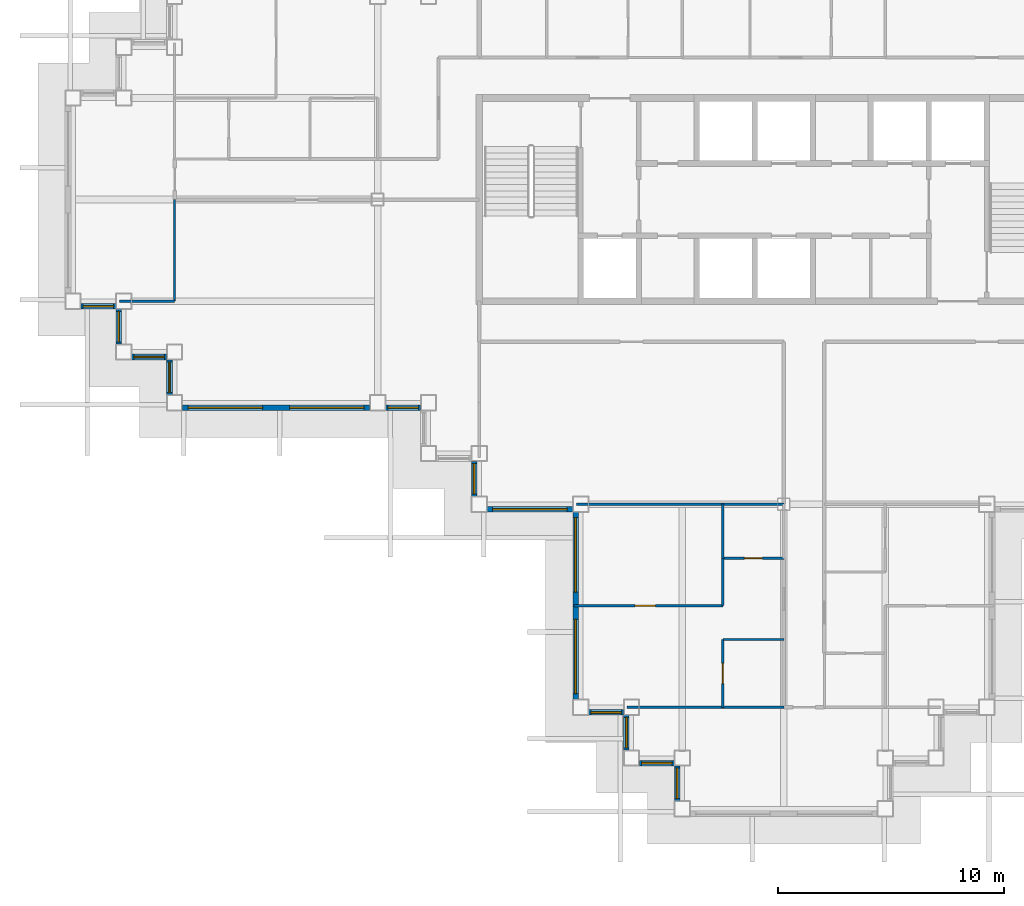
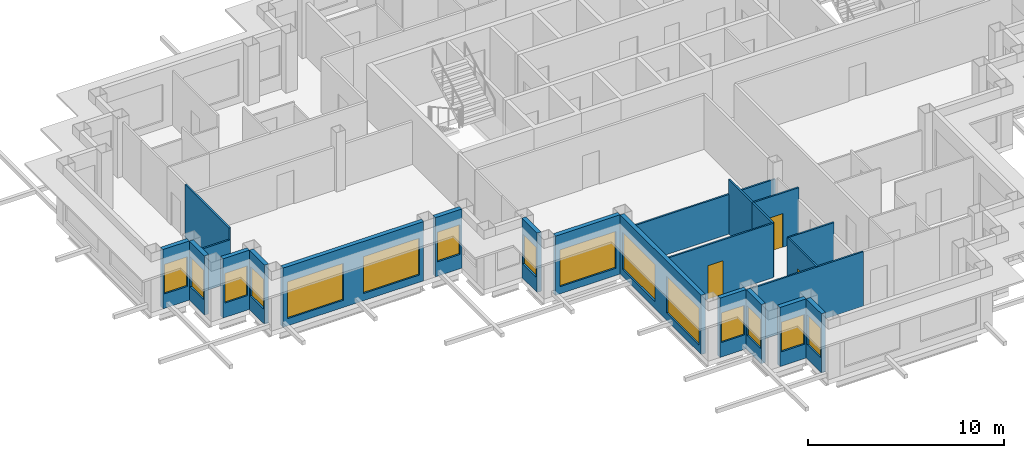
# One storey, part 2 of 12: 24 walls, 15 windows, 3 doors, 18 openings.
"""IFC4 building model written with IfcOpenShell, lengths in metres."""

from ifc_helpers import new_model, si_unit, direction, frame, frame_2d, origin, place, context, subcontext, project, spatial, rectangle, extrude, material, layer, layer_set, type_object, element, fill, save


model = new_model("IFC4")

# Units and contexts
model_context = context("Model", 3, precision=1e-05, world=origin(), true_north=direction((0.0, 1.0)))
body_context = subcontext(model_context, "Body", "Model", "MODEL_VIEW")
ifc_project = project(units=[si_unit("LENGTHUNIT", "METRE"), si_unit("AREAUNIT", "SQUARE_METRE"), si_unit("VOLUMEUNIT", "CUBIC_METRE"), si_unit("PLANEANGLEUNIT", "RADIAN"), si_unit("MASSUNIT", "GRAM", prefix="KILO")], contexts=[model_context])

# Site, building, storey
site_placement = place(None, origin())
site = spatial("IfcSite", under=ifc_project, at=site_placement, CompositionType="ELEMENT")
building_placement = place(site_placement, origin())
building = spatial("IfcBuilding", under=site, at=building_placement, Name="Caravel Reach Hotel and Residences", CompositionType="ELEMENT")
storey_placement = place(building_placement, frame((0.0, 0.0, 203.5)))
storey = spatial("IfcBuildingStorey", under=building, at=storey_placement, Name="L51", CompositionType="ELEMENT", Elevation=203.5)

# Wall, opening, door
ifc_material_1 = material(Name="Gypsum board on steel stud", Category="steel")
ifc_layer_1 = layer(ifc_material_1, 0.10009765625)
ifc_layer_set_1 = layer_set([ifc_layer_1], Name="Bathroom pod wall 100 mm")
wall_type_1 = type_object("IfcWallType", Name="Bathroom pod wall 100 mm", PredefinedType="PARTITIONING", material=ifc_layer_set_1)
wall_1_placement = place(storey_placement, frame((28.800048828125, 11.10009765625, 0.0), z_axis=(0.0, 0.0, 1.0), x_axis=(1.0, 0.0, 0.0)))
wall_1 = element("IfcWall", 1, at=wall_1_placement, inside=storey, type_object=wall_type_1, Name="L51 wall w064", PredefinedType="PARTITIONING", context=body_context, shape_type="SweptSolid", body=[
    extrude(rectangle(XDim=2.699951171875, YDim=0.10009765625, at=frame_2d((1.35009765625, 0.0))), origin(), (0.0, 0.0, 1.0), 3.39990234375),
])
opening_1_placement = place(wall_1_placement, frame((0.949951171875, 0.0, 0.0)))
opening_1 = element("IfcOpeningElement", 2, at=opening_1_placement, cuts=wall_1, Name="Opening D51-035", PredefinedType="OPENING", context=body_context, shape_type="SweptSolid", body=[
    extrude(rectangle(XDim=0.800048828125, YDim=2.10009765625, at=frame_2d((0.39990234375, 1.050048828125))), frame((0.0, 0.06005859375, 0.0), z_axis=(0.0, -1.0, 0.0), x_axis=(1.0, 0.0, 0.0)), (0.0, 0.0, 1.0), 0.1201171875),
])
ifc_material_2 = material(Name="Timber and steel door leaf", Category="steel")
door_type_1 = type_object("IfcDoorType", Name="Bathroom door 800 x 2100", OperationType="SINGLE_SWING_LEFT", PredefinedType="DOOR", material=ifc_material_2)
door_1_placement = place(opening_1_placement, origin())
door_1 = element("IfcDoor", 3, at=door_1_placement, inside=storey, type_object=door_type_1, Name="door D51-035", OperationType="SINGLE_SWING_LEFT", OverallHeight=2.10009765625, OverallWidth=0.800048828125, PredefinedType="DOOR", context=body_context, shape_type="SweptSolid", body=[
    extrude(rectangle(XDim=0.800048828125, YDim=2.10009765625, at=frame_2d((0.39990234375, 1.050048828125))), frame((0.0, 0.02490234375, 0.0), z_axis=(0.0, -1.0, 0.0), x_axis=(1.0, 0.0, 0.0)), (0.0, 0.0, 1.0), 0.050048828125),
])
fill(opening_1, door_1)

# Walls
wall_2_placement = place(storey_placement, frame((28.800048828125, 13.5, 0.0), z_axis=(0.0, 0.0, 1.0), x_axis=(1.0, 0.0, 0.0)))
element("IfcWall", 4, at=wall_2_placement, inside=storey, type_object=wall_type_1, Name="L51 wall w065", PredefinedType="PARTITIONING", context=body_context, shape_type="SweptSolid", body=[
    extrude(rectangle(XDim=2.699951171875, YDim=0.10009765625, at=frame_2d((1.35009765625, 0.0))), origin(), (0.0, 0.0, 1.0), 2.47998046875),
])
wall_3_placement = place(storey_placement, frame((28.800048828125, 11.10009765625, 0.0), z_axis=(0.0, 0.0, 1.0), x_axis=(0.0, 1.0, 0.0)))
element("IfcWall", 5, at=wall_3_placement, inside=storey, type_object=wall_type_1, Name="L51 wall w076", PredefinedType="PARTITIONING", context=body_context, shape_type="SweptSolid", body=[
    extrude(rectangle(XDim=2.39990234375, YDim=0.10009765625, at=frame_2d((1.199951171875, 0.0))), origin(), (0.0, 0.0, 1.0), 3.39990234375),
])

# Wall, opening, window
ifc_material_3 = material(Name="Insulated rainscreen wall, aluminium cladding", Category="aluminium")
ifc_layer_2 = layer(ifc_material_3, 0.25)
ifc_layer_set_2 = layer_set([ifc_layer_2], Name="EW1 Tower rainscreen wall")
wall_type_2 = type_object("IfcWallType", Name="EW1 Tower rainscreen wall", PredefinedType="SOLIDWALL", material=ifc_layer_set_2)
wall_4_placement = place(storey_placement, frame((0.35009765625, 22.27490234375, 0.0), z_axis=(0.0, 0.0, 1.0), x_axis=(1.0, 0.0, 0.0)))
wall_4 = element("IfcWall", 6, at=wall_4_placement, inside=storey, type_object=wall_type_2, Name="External wall L51 S21.1", PredefinedType="SOLIDWALL", context=body_context, shape_type="SweptSolid", body=[
    extrude(rectangle(XDim=1.5498046875, YDim=0.25, at=frame_2d((0.77490234375, 0.0))), origin(), (0.0, 0.0, 1.0), 3.699951171875),
])
opening_2_placement = place(wall_4_placement, frame((0.10009765625, 0.0, 0.89990234375)))
opening_2 = element("IfcOpeningElement", 7, at=opening_2_placement, cuts=wall_4, Name="Opening WN21", PredefinedType="OPENING", context=body_context, shape_type="SweptSolid", body=[
    extrude(rectangle(XDim=1.35009765625, YDim=1.85009765625, at=frame_2d((0.675048828125, 0.925048828125))), frame((0.0, 0.135009765625, 0.0), z_axis=(0.0, -1.0, 0.0), x_axis=(1.0, 0.0, 0.0)), (0.0, 0.0, 1.0), 0.27001953125),
])
ifc_material_4 = material(Name="Dark low-e glazing in black aluminium frame", Category="aluminium")
window_type_1 = type_object("IfcWindowType", Name="Residence bedroom window 1350 x 1850", PartitioningType="SINGLE_PANEL", PredefinedType="WINDOW", material=ifc_material_4)
window_1_placement = place(opening_2_placement, origin())
window_1 = element("IfcWindow", 8, at=window_1_placement, inside=storey, type_object=window_type_1, Name="Window L51 S21.1.1", OverallHeight=1.85009765625, OverallWidth=1.35009765625, PartitioningType="SINGLE_PANEL", PredefinedType="WINDOW", context=body_context, shape_type="SweptSolid", body=[
    extrude(rectangle(XDim=1.35009765625, YDim=1.85009765625, at=frame_2d((0.675048828125, 0.925048828125))), frame((0.0, 0.030029296875, 0.0), z_axis=(0.0, -1.0, 0.0), x_axis=(1.0, 0.0, 0.0)), (0.0, 0.0, 1.0), 0.06005859375),
])
fill(opening_2, window_1)

wall_5_placement = place(storey_placement, frame((2.02490234375, 22.14990234375, 0.0), z_axis=(0.0, 0.0, 1.0), x_axis=(0.0, -1.0, 0.0)))
wall_5 = element("IfcWall", 9, at=wall_5_placement, inside=storey, type_object=wall_type_2, Name="External wall L51 W22.1", PredefinedType="SOLIDWALL", context=body_context, shape_type="SweptSolid", body=[
    extrude(rectangle(XDim=1.5498046875, YDim=0.25, at=frame_2d((0.77490234375, 0.0))), origin(), (0.0, 0.0, 1.0), 3.699951171875),
])
opening_3_placement = place(wall_5_placement, frame((0.10009765625, 0.0, 0.89990234375)))
opening_3 = element("IfcOpeningElement", 10, at=opening_3_placement, cuts=wall_5, Name="Opening WN21", PredefinedType="OPENING", context=body_context, shape_type="SweptSolid", body=[
    extrude(rectangle(XDim=1.35009765625, YDim=1.85009765625, at=frame_2d((0.675048828125, 0.925048828125))), frame((0.0, 0.135009765625, 0.0), z_axis=(0.0, -1.0, 0.0), x_axis=(1.0, 0.0, 0.0)), (0.0, 0.0, 1.0), 0.27001953125),
])
window_2_placement = place(opening_3_placement, origin())
window_2 = element("IfcWindow", 11, at=window_2_placement, inside=storey, type_object=window_type_1, Name="Window L51 W22.1.1", OverallHeight=1.85009765625, OverallWidth=1.35009765625, PartitioningType="SINGLE_PANEL", PredefinedType="WINDOW", context=body_context, shape_type="SweptSolid", body=[
    extrude(rectangle(XDim=1.35009765625, YDim=1.85009765625, at=frame_2d((0.675048828125, 0.925048828125))), frame((0.0, 0.030029296875, 0.0), z_axis=(0.0, -1.0, 0.0), x_axis=(1.0, 0.0, 0.0)), (0.0, 0.0, 1.0), 0.06005859375),
])
fill(opening_3, window_2)

wall_6_placement = place(storey_placement, frame((2.60009765625, 20.02490234375, 0.0), z_axis=(0.0, 0.0, 1.0), x_axis=(1.0, 0.0, 0.0)))
wall_6 = element("IfcWall", 12, at=wall_6_placement, inside=storey, type_object=wall_type_2, Name="External wall L51 S23.1", PredefinedType="SOLIDWALL", context=body_context, shape_type="SweptSolid", body=[
    extrude(rectangle(XDim=1.5498046875, YDim=0.25, at=frame_2d((0.77490234375, 0.0))), origin(), (0.0, 0.0, 1.0), 3.699951171875),
])
opening_4_placement = place(wall_6_placement, frame((0.10009765625, 0.0, 0.89990234375)))
opening_4 = element("IfcOpeningElement", 13, at=opening_4_placement, cuts=wall_6, Name="Opening WN21", PredefinedType="OPENING", context=body_context, shape_type="SweptSolid", body=[
    extrude(rectangle(XDim=1.35009765625, YDim=1.85009765625, at=frame_2d((0.675048828125, 0.925048828125))), frame((0.0, 0.135009765625, 0.0), z_axis=(0.0, -1.0, 0.0), x_axis=(1.0, 0.0, 0.0)), (0.0, 0.0, 1.0), 0.27001953125),
])
window_3_placement = place(opening_4_placement, origin())
window_3 = element("IfcWindow", 14, at=window_3_placement, inside=storey, type_object=window_type_1, Name="Window L51 S23.1.1", OverallHeight=1.85009765625, OverallWidth=1.35009765625, PartitioningType="SINGLE_PANEL", PredefinedType="WINDOW", context=body_context, shape_type="SweptSolid", body=[
    extrude(rectangle(XDim=1.35009765625, YDim=1.85009765625, at=frame_2d((0.675048828125, 0.925048828125))), frame((0.0, 0.030029296875, 0.0), z_axis=(0.0, -1.0, 0.0), x_axis=(1.0, 0.0, 0.0)), (0.0, 0.0, 1.0), 0.06005859375),
])
fill(opening_4, window_3)

wall_7_placement = place(storey_placement, frame((4.27490234375, 19.89990234375, 0.0), z_axis=(0.0, 0.0, 1.0), x_axis=(0.0, -1.0, 0.0)))
wall_7 = element("IfcWall", 15, at=wall_7_placement, inside=storey, type_object=wall_type_2, Name="External wall L51 W24.1", PredefinedType="SOLIDWALL", context=body_context, shape_type="SweptSolid", body=[
    extrude(rectangle(XDim=1.5498046875, YDim=0.25, at=frame_2d((0.77490234375, 0.0))), origin(), (0.0, 0.0, 1.0), 3.699951171875),
])
opening_5_placement = place(wall_7_placement, frame((0.10009765625, 0.0, 0.89990234375)))
opening_5 = element("IfcOpeningElement", 16, at=opening_5_placement, cuts=wall_7, Name="Opening WN21", PredefinedType="OPENING", context=body_context, shape_type="SweptSolid", body=[
    extrude(rectangle(XDim=1.35009765625, YDim=1.85009765625, at=frame_2d((0.675048828125, 0.925048828125))), frame((0.0, 0.135009765625, 0.0), z_axis=(0.0, -1.0, 0.0), x_axis=(1.0, 0.0, 0.0)), (0.0, 0.0, 1.0), 0.27001953125),
])
window_4_placement = place(opening_5_placement, origin())
window_4 = element("IfcWindow", 17, at=window_4_placement, inside=storey, type_object=window_type_1, Name="Window L51 W24.1.1", OverallHeight=1.85009765625, OverallWidth=1.35009765625, PartitioningType="SINGLE_PANEL", PredefinedType="WINDOW", context=body_context, shape_type="SweptSolid", body=[
    extrude(rectangle(XDim=1.35009765625, YDim=1.85009765625, at=frame_2d((0.675048828125, 0.925048828125))), frame((0.0, 0.030029296875, 0.0), z_axis=(0.0, -1.0, 0.0), x_axis=(1.0, 0.0, 0.0)), (0.0, 0.0, 1.0), 0.06005859375),
])
fill(opening_5, window_4)

# Wall, openings, windows
wall_8_placement = place(storey_placement, frame((4.85009765625, 17.77490234375, 0.0), z_axis=(0.0, 0.0, 1.0), x_axis=(1.0, 0.0, 0.0)))
wall_8 = element("IfcWall", 18, at=wall_8_placement, inside=storey, type_object=wall_type_2, Name="External wall L51 S25.1", PredefinedType="SOLIDWALL", context=body_context, shape_type="SweptSolid", body=[
    extrude(rectangle(XDim=8.2998046875, YDim=0.25, at=frame_2d((4.14990234375, 0.0))), origin(), (0.0, 0.0, 1.0), 3.699951171875),
])
opening_6_placement = place(wall_8_placement, frame((0.25, 0.0, 0.449951171875)))
opening_6 = element("IfcOpeningElement", 19, at=opening_6_placement, cuts=wall_8, Name="Opening WN15", PredefinedType="OPENING", context=body_context, shape_type="SweptSolid", body=[
    extrude(rectangle(XDim=3.300048828125, YDim=2.300048828125, at=frame_2d((1.64990234375, 1.14990234375))), frame((0.0, 0.135009765625, 0.0), z_axis=(0.0, -1.0, 0.0), x_axis=(1.0, 0.0, 0.0)), (0.0, 0.0, 1.0), 0.27001953125),
])
opening_7_placement = place(wall_8_placement, frame((4.75, 0.0, 0.449951171875)))
opening_7 = element("IfcOpeningElement", 20, at=opening_7_placement, cuts=wall_8, Name="Opening WN15", PredefinedType="OPENING", context=body_context, shape_type="SweptSolid", body=[
    extrude(rectangle(XDim=3.300048828125, YDim=2.300048828125, at=frame_2d((1.64990234375, 1.14990234375))), frame((0.0, 0.135009765625, 0.0), z_axis=(0.0, -1.0, 0.0), x_axis=(1.0, 0.0, 0.0)), (0.0, 0.0, 1.0), 0.27001953125),
])
ifc_material_5 = material(Name="Dark low-e glazing in black aluminium frame", Category="aluminium")
window_type_2 = type_object("IfcWindowType", Name="Residence living window 3300 x 2300", PartitioningType="SINGLE_PANEL", PredefinedType="WINDOW", material=ifc_material_5)
window_5_placement = place(opening_6_placement, origin())
window_5 = element("IfcWindow", 21, at=window_5_placement, inside=storey, type_object=window_type_2, Name="Window L51 S25.1.1", OverallHeight=2.300048828125, OverallWidth=3.300048828125, PartitioningType="SINGLE_PANEL", PredefinedType="WINDOW", context=body_context, shape_type="SweptSolid", body=[
    extrude(rectangle(XDim=3.300048828125, YDim=2.300048828125, at=frame_2d((1.64990234375, 1.14990234375))), frame((0.0, 0.030029296875, 0.0), z_axis=(0.0, -1.0, 0.0), x_axis=(1.0, 0.0, 0.0)), (0.0, 0.0, 1.0), 0.06005859375),
])
fill(opening_6, window_5)
window_6_placement = place(opening_7_placement, origin())
window_6 = element("IfcWindow", 22, at=window_6_placement, inside=storey, type_object=window_type_2, Name="Window L51 S25.1.2", OverallHeight=2.300048828125, OverallWidth=3.300048828125, PartitioningType="SINGLE_PANEL", PredefinedType="WINDOW", context=body_context, shape_type="SweptSolid", body=[
    extrude(rectangle(XDim=3.300048828125, YDim=2.300048828125, at=frame_2d((1.64990234375, 1.14990234375))), frame((0.0, 0.030029296875, 0.0), z_axis=(0.0, -1.0, 0.0), x_axis=(1.0, 0.0, 0.0)), (0.0, 0.0, 1.0), 0.06005859375),
])
fill(opening_7, window_6)

# Wall, opening, window
wall_9_placement = place(storey_placement, frame((13.85009765625, 17.77490234375, 0.0), z_axis=(0.0, 0.0, 1.0), x_axis=(1.0, 0.0, 0.0)))
wall_9 = element("IfcWall", 23, at=wall_9_placement, inside=storey, type_object=wall_type_2, Name="External wall L51 S25.2", PredefinedType="SOLIDWALL", context=body_context, shape_type="SweptSolid", body=[
    extrude(rectangle(XDim=1.5498046875, YDim=0.25, at=frame_2d((0.77490234375, 0.0))), origin(), (0.0, 0.0, 1.0), 3.699951171875),
])
opening_8_placement = place(wall_9_placement, frame((0.10009765625, 0.0, 0.89990234375)))
opening_8 = element("IfcOpeningElement", 24, at=opening_8_placement, cuts=wall_9, Name="Opening WN21", PredefinedType="OPENING", context=body_context, shape_type="SweptSolid", body=[
    extrude(rectangle(XDim=1.35009765625, YDim=1.85009765625, at=frame_2d((0.675048828125, 0.925048828125))), frame((0.0, 0.135009765625, 0.0), z_axis=(0.0, -1.0, 0.0), x_axis=(1.0, 0.0, 0.0)), (0.0, 0.0, 1.0), 0.27001953125),
])
window_7_placement = place(opening_8_placement, origin())
window_7 = element("IfcWindow", 25, at=window_7_placement, inside=storey, type_object=window_type_1, Name="Window L51 S25.2.1", OverallHeight=1.85009765625, OverallWidth=1.35009765625, PartitioningType="SINGLE_PANEL", PredefinedType="WINDOW", context=body_context, shape_type="SweptSolid", body=[
    extrude(rectangle(XDim=1.35009765625, YDim=1.85009765625, at=frame_2d((0.675048828125, 0.925048828125))), frame((0.0, 0.030029296875, 0.0), z_axis=(0.0, -1.0, 0.0), x_axis=(1.0, 0.0, 0.0)), (0.0, 0.0, 1.0), 0.06005859375),
])
fill(opening_8, window_7)

wall_10_placement = place(storey_placement, frame((17.77490234375, 15.39990234375, 0.0), z_axis=(0.0, 0.0, 1.0), x_axis=(0.0, -1.0, 0.0)))
wall_10 = element("IfcWall", 26, at=wall_10_placement, inside=storey, type_object=wall_type_2, Name="External wall L51 W28.1", PredefinedType="SOLIDWALL", context=body_context, shape_type="SweptSolid", body=[
    extrude(rectangle(XDim=1.5498046875, YDim=0.25, at=frame_2d((0.77490234375, 0.0))), origin(), (0.0, 0.0, 1.0), 3.699951171875),
])
opening_9_placement = place(wall_10_placement, frame((0.10009765625, 0.0, 0.89990234375)))
opening_9 = element("IfcOpeningElement", 27, at=opening_9_placement, cuts=wall_10, Name="Opening WN21", PredefinedType="OPENING", context=body_context, shape_type="SweptSolid", body=[
    extrude(rectangle(XDim=1.35009765625, YDim=1.85009765625, at=frame_2d((0.675048828125, 0.925048828125))), frame((0.0, 0.135009765625, 0.0), z_axis=(0.0, -1.0, 0.0), x_axis=(1.0, 0.0, 0.0)), (0.0, 0.0, 1.0), 0.27001953125),
])
window_8_placement = place(opening_9_placement, origin())
window_8 = element("IfcWindow", 28, at=window_8_placement, inside=storey, type_object=window_type_1, Name="Window L51 W28.1.1", OverallHeight=1.85009765625, OverallWidth=1.35009765625, PartitioningType="SINGLE_PANEL", PredefinedType="WINDOW", context=body_context, shape_type="SweptSolid", body=[
    extrude(rectangle(XDim=1.35009765625, YDim=1.85009765625, at=frame_2d((0.675048828125, 0.925048828125))), frame((0.0, 0.030029296875, 0.0), z_axis=(0.0, -1.0, 0.0), x_axis=(1.0, 0.0, 0.0)), (0.0, 0.0, 1.0), 0.06005859375),
])
fill(opening_9, window_8)

wall_11_placement = place(storey_placement, frame((18.35009765625, 13.27490234375, 0.0), z_axis=(0.0, 0.0, 1.0), x_axis=(1.0, 0.0, 0.0)))
wall_11 = element("IfcWall", 29, at=wall_11_placement, inside=storey, type_object=wall_type_2, Name="External wall L51 S29.1", PredefinedType="SOLIDWALL", context=body_context, shape_type="SweptSolid", body=[
    extrude(rectangle(XDim=3.7998046875, YDim=0.25, at=frame_2d((1.89990234375, 0.0))), origin(), (0.0, 0.0, 1.0), 3.699951171875),
])
opening_10_placement = place(wall_11_placement, frame((0.25, 0.0, 0.449951171875)))
opening_10 = element("IfcOpeningElement", 30, at=opening_10_placement, cuts=wall_11, Name="Opening WN15", PredefinedType="OPENING", context=body_context, shape_type="SweptSolid", body=[
    extrude(rectangle(XDim=3.300048828125, YDim=2.300048828125, at=frame_2d((1.64990234375, 1.14990234375))), frame((0.0, 0.135009765625, 0.0), z_axis=(0.0, -1.0, 0.0), x_axis=(1.0, 0.0, 0.0)), (0.0, 0.0, 1.0), 0.27001953125),
])
window_9_placement = place(opening_10_placement, origin())
window_9 = element("IfcWindow", 31, at=window_9_placement, inside=storey, type_object=window_type_2, Name="Window L51 S29.1.1", OverallHeight=2.300048828125, OverallWidth=3.300048828125, PartitioningType="SINGLE_PANEL", PredefinedType="WINDOW", context=body_context, shape_type="SweptSolid", body=[
    extrude(rectangle(XDim=3.300048828125, YDim=2.300048828125, at=frame_2d((1.64990234375, 1.14990234375))), frame((0.0, 0.030029296875, 0.0), z_axis=(0.0, -1.0, 0.0), x_axis=(1.0, 0.0, 0.0)), (0.0, 0.0, 1.0), 0.06005859375),
])
fill(opening_10, window_9)

# Wall, openings, windows
wall_12_placement = place(storey_placement, frame((22.27490234375, 13.14990234375, 0.0), z_axis=(0.0, 0.0, 1.0), x_axis=(0.0, -1.0, 0.0)))
wall_12 = element("IfcWall", 32, at=wall_12_placement, inside=storey, type_object=wall_type_2, Name="External wall L51 W30.1", PredefinedType="SOLIDWALL", context=body_context, shape_type="SweptSolid", body=[
    extrude(rectangle(XDim=8.2998046875, YDim=0.25, at=frame_2d((4.14990234375, 0.0))), origin(), (0.0, 0.0, 1.0), 3.699951171875),
])
opening_11_placement = place(wall_12_placement, frame((0.25, 0.0, 0.449951171875)))
opening_11 = element("IfcOpeningElement", 33, at=opening_11_placement, cuts=wall_12, Name="Opening WN15", PredefinedType="OPENING", context=body_context, shape_type="SweptSolid", body=[
    extrude(rectangle(XDim=3.300048828125, YDim=2.300048828125, at=frame_2d((1.64990234375, 1.14990234375))), frame((0.0, 0.135009765625, 0.0), z_axis=(0.0, -1.0, 0.0), x_axis=(1.0, 0.0, 0.0)), (0.0, 0.0, 1.0), 0.27001953125),
])
opening_12_placement = place(wall_12_placement, frame((4.75, 0.0, 0.449951171875)))
opening_12 = element("IfcOpeningElement", 34, at=opening_12_placement, cuts=wall_12, Name="Opening WN15", PredefinedType="OPENING", context=body_context, shape_type="SweptSolid", body=[
    extrude(rectangle(XDim=3.300048828125, YDim=2.300048828125, at=frame_2d((1.64990234375, 1.14990234375))), frame((0.0, 0.135009765625, 0.0), z_axis=(0.0, -1.0, 0.0), x_axis=(1.0, 0.0, 0.0)), (0.0, 0.0, 1.0), 0.27001953125),
])
window_10_placement = place(opening_11_placement, origin())
window_10 = element("IfcWindow", 35, at=window_10_placement, inside=storey, type_object=window_type_2, Name="Window L51 W30.1.1", OverallHeight=2.300048828125, OverallWidth=3.300048828125, PartitioningType="SINGLE_PANEL", PredefinedType="WINDOW", context=body_context, shape_type="SweptSolid", body=[
    extrude(rectangle(XDim=3.300048828125, YDim=2.300048828125, at=frame_2d((1.64990234375, 1.14990234375))), frame((0.0, 0.030029296875, 0.0), z_axis=(0.0, -1.0, 0.0), x_axis=(1.0, 0.0, 0.0)), (0.0, 0.0, 1.0), 0.06005859375),
])
fill(opening_11, window_10)
window_11_placement = place(opening_12_placement, origin())
window_11 = element("IfcWindow", 36, at=window_11_placement, inside=storey, type_object=window_type_2, Name="Window L51 W30.1.2", OverallHeight=2.300048828125, OverallWidth=3.300048828125, PartitioningType="SINGLE_PANEL", PredefinedType="WINDOW", context=body_context, shape_type="SweptSolid", body=[
    extrude(rectangle(XDim=3.300048828125, YDim=2.300048828125, at=frame_2d((1.64990234375, 1.14990234375))), frame((0.0, 0.030029296875, 0.0), z_axis=(0.0, -1.0, 0.0), x_axis=(1.0, 0.0, 0.0)), (0.0, 0.0, 1.0), 0.06005859375),
])
fill(opening_12, window_11)

# Wall, opening, window
wall_13_placement = place(storey_placement, frame((22.85009765625, 4.27490234375, 0.0), z_axis=(0.0, 0.0, 1.0), x_axis=(1.0, 0.0, 0.0)))
wall_13 = element("IfcWall", 37, at=wall_13_placement, inside=storey, type_object=wall_type_2, Name="External wall L51 S31.1", PredefinedType="SOLIDWALL", context=body_context, shape_type="SweptSolid", body=[
    extrude(rectangle(XDim=1.5498046875, YDim=0.25, at=frame_2d((0.77490234375, 0.0))), origin(), (0.0, 0.0, 1.0), 3.699951171875),
])
opening_13_placement = place(wall_13_placement, frame((0.10009765625, 0.0, 0.89990234375)))
opening_13 = element("IfcOpeningElement", 38, at=opening_13_placement, cuts=wall_13, Name="Opening WN21", PredefinedType="OPENING", context=body_context, shape_type="SweptSolid", body=[
    extrude(rectangle(XDim=1.35009765625, YDim=1.85009765625, at=frame_2d((0.675048828125, 0.925048828125))), frame((0.0, 0.135009765625, 0.0), z_axis=(0.0, -1.0, 0.0), x_axis=(1.0, 0.0, 0.0)), (0.0, 0.0, 1.0), 0.27001953125),
])
window_12_placement = place(opening_13_placement, origin())
window_12 = element("IfcWindow", 39, at=window_12_placement, inside=storey, type_object=window_type_1, Name="Window L51 S31.1.1", OverallHeight=1.85009765625, OverallWidth=1.35009765625, PartitioningType="SINGLE_PANEL", PredefinedType="WINDOW", context=body_context, shape_type="SweptSolid", body=[
    extrude(rectangle(XDim=1.35009765625, YDim=1.85009765625, at=frame_2d((0.675048828125, 0.925048828125))), frame((0.0, 0.030029296875, 0.0), z_axis=(0.0, -1.0, 0.0), x_axis=(1.0, 0.0, 0.0)), (0.0, 0.0, 1.0), 0.06005859375),
])
fill(opening_13, window_12)

wall_14_placement = place(storey_placement, frame((24.52490234375, 4.14990234375, 0.0), z_axis=(0.0, 0.0, 1.0), x_axis=(0.0, -1.0, 0.0)))
wall_14 = element("IfcWall", 40, at=wall_14_placement, inside=storey, type_object=wall_type_2, Name="External wall L51 W32.1", PredefinedType="SOLIDWALL", context=body_context, shape_type="SweptSolid", body=[
    extrude(rectangle(XDim=1.5498046875, YDim=0.25, at=frame_2d((0.77490234375, 0.0))), origin(), (0.0, 0.0, 1.0), 3.699951171875),
])
opening_14_placement = place(wall_14_placement, frame((0.10009765625, 0.0, 0.89990234375)))
opening_14 = element("IfcOpeningElement", 41, at=opening_14_placement, cuts=wall_14, Name="Opening WN21", PredefinedType="OPENING", context=body_context, shape_type="SweptSolid", body=[
    extrude(rectangle(XDim=1.35009765625, YDim=1.85009765625, at=frame_2d((0.675048828125, 0.925048828125))), frame((0.0, 0.135009765625, 0.0), z_axis=(0.0, -1.0, 0.0), x_axis=(1.0, 0.0, 0.0)), (0.0, 0.0, 1.0), 0.27001953125),
])
window_13_placement = place(opening_14_placement, origin())
window_13 = element("IfcWindow", 42, at=window_13_placement, inside=storey, type_object=window_type_1, Name="Window L51 W32.1.1", OverallHeight=1.85009765625, OverallWidth=1.35009765625, PartitioningType="SINGLE_PANEL", PredefinedType="WINDOW", context=body_context, shape_type="SweptSolid", body=[
    extrude(rectangle(XDim=1.35009765625, YDim=1.85009765625, at=frame_2d((0.675048828125, 0.925048828125))), frame((0.0, 0.030029296875, 0.0), z_axis=(0.0, -1.0, 0.0), x_axis=(1.0, 0.0, 0.0)), (0.0, 0.0, 1.0), 0.06005859375),
])
fill(opening_14, window_13)

wall_15_placement = place(storey_placement, frame((25.10009765625, 2.02490234375, 0.0), z_axis=(0.0, 0.0, 1.0), x_axis=(1.0, 0.0, 0.0)))
wall_15 = element("IfcWall", 43, at=wall_15_placement, inside=storey, type_object=wall_type_2, Name="External wall L51 S33.1", PredefinedType="SOLIDWALL", context=body_context, shape_type="SweptSolid", body=[
    extrude(rectangle(XDim=1.5498046875, YDim=0.25, at=frame_2d((0.77490234375, 0.0))), origin(), (0.0, 0.0, 1.0), 3.699951171875),
])
opening_15_placement = place(wall_15_placement, frame((0.10009765625, 0.0, 0.89990234375)))
opening_15 = element("IfcOpeningElement", 44, at=opening_15_placement, cuts=wall_15, Name="Opening WN21", PredefinedType="OPENING", context=body_context, shape_type="SweptSolid", body=[
    extrude(rectangle(XDim=1.35009765625, YDim=1.85009765625, at=frame_2d((0.675048828125, 0.925048828125))), frame((0.0, 0.135009765625, 0.0), z_axis=(0.0, -1.0, 0.0), x_axis=(1.0, 0.0, 0.0)), (0.0, 0.0, 1.0), 0.27001953125),
])
window_14_placement = place(opening_15_placement, origin())
window_14 = element("IfcWindow", 45, at=window_14_placement, inside=storey, type_object=window_type_1, Name="Window L51 S33.1.1", OverallHeight=1.85009765625, OverallWidth=1.35009765625, PartitioningType="SINGLE_PANEL", PredefinedType="WINDOW", context=body_context, shape_type="SweptSolid", body=[
    extrude(rectangle(XDim=1.35009765625, YDim=1.85009765625, at=frame_2d((0.675048828125, 0.925048828125))), frame((0.0, 0.030029296875, 0.0), z_axis=(0.0, -1.0, 0.0), x_axis=(1.0, 0.0, 0.0)), (0.0, 0.0, 1.0), 0.06005859375),
])
fill(opening_15, window_14)

wall_16_placement = place(storey_placement, frame((26.77490234375, 1.89990234375, 0.0), z_axis=(0.0, 0.0, 1.0), x_axis=(0.0, -1.0, 0.0)))
wall_16 = element("IfcWall", 46, at=wall_16_placement, inside=storey, type_object=wall_type_2, Name="External wall L51 W34.1", PredefinedType="SOLIDWALL", context=body_context, shape_type="SweptSolid", body=[
    extrude(rectangle(XDim=1.5498046875, YDim=0.25, at=frame_2d((0.77490234375, 0.0))), origin(), (0.0, 0.0, 1.0), 3.699951171875),
])
opening_16_placement = place(wall_16_placement, frame((0.10009765625, 0.0, 0.89990234375)))
opening_16 = element("IfcOpeningElement", 47, at=opening_16_placement, cuts=wall_16, Name="Opening WN21", PredefinedType="OPENING", context=body_context, shape_type="SweptSolid", body=[
    extrude(rectangle(XDim=1.35009765625, YDim=1.85009765625, at=frame_2d((0.675048828125, 0.925048828125))), frame((0.0, 0.135009765625, 0.0), z_axis=(0.0, -1.0, 0.0), x_axis=(1.0, 0.0, 0.0)), (0.0, 0.0, 1.0), 0.27001953125),
])
window_15_placement = place(opening_16_placement, origin())
window_15 = element("IfcWindow", 48, at=window_15_placement, inside=storey, type_object=window_type_1, Name="Window L51 W34.1.1", OverallHeight=1.85009765625, OverallWidth=1.35009765625, PartitioningType="SINGLE_PANEL", PredefinedType="WINDOW", context=body_context, shape_type="SweptSolid", body=[
    extrude(rectangle(XDim=1.35009765625, YDim=1.85009765625, at=frame_2d((0.675048828125, 0.925048828125))), frame((0.0, 0.030029296875, 0.0), z_axis=(0.0, -1.0, 0.0), x_axis=(1.0, 0.0, 0.0)), (0.0, 0.0, 1.0), 0.06005859375),
])
fill(opening_16, window_15)

# Walls
ifc_material_6 = material(Name="Gypsum board on steel stud", Category="steel")
ifc_layer_3 = layer(ifc_material_6, 0.10009765625)
ifc_layer_set_3 = layer_set([ifc_layer_3], Name="Partition 100 mm")
wall_type_3 = type_object("IfcWallType", Name="Partition 100 mm", PredefinedType="PARTITIONING", material=ifc_layer_set_3)
wall_17_placement = place(storey_placement, frame((22.31005859375, 13.5, 0.0), z_axis=(0.0, 0.0, 1.0), x_axis=(1.0, 0.0, 0.0)))
element("IfcWall", 49, at=wall_17_placement, inside=storey, type_object=wall_type_3, Name="L51 wall w030", PredefinedType="PARTITIONING", context=body_context, shape_type="SweptSolid", body=[
    extrude(rectangle(XDim=6.489990234375, YDim=0.10009765625, at=frame_2d((3.2451171875, 0.0))), origin(), (0.0, 0.0, 1.0), 2.47998046875),
])
wall_18_placement = place(storey_placement, frame((2.06005859375, 22.5, 0.0), z_axis=(0.0, 0.0, 1.0), x_axis=(1.0, 0.0, 0.0)))
element("IfcWall", 50, at=wall_18_placement, inside=storey, type_object=wall_type_3, Name="L51 wall w031", PredefinedType="PARTITIONING", context=body_context, shape_type="SweptSolid", body=[
    extrude(rectangle(XDim=2.43896484375, YDim=0.10009765625, at=frame_2d((1.219482421875, 0.0))), origin(), (0.0, 0.0, 1.0), 2.679931640625),
])
wall_19_placement = place(storey_placement, frame((24.56005859375, 4.5, 0.0), z_axis=(0.0, 0.0, 1.0), x_axis=(1.0, 0.0, 0.0)))
element("IfcWall", 51, at=wall_19_placement, inside=storey, type_object=wall_type_3, Name="L51 wall w039", PredefinedType="PARTITIONING", context=body_context, shape_type="SweptSolid", body=[
    extrude(rectangle(XDim=6.93994140625, YDim=0.10009765625, at=frame_2d((3.469970703125, 0.0))), origin(), (0.0, 0.0, 1.0), 3.39990234375),
])
wall_20_placement = place(storey_placement, frame((28.800048828125, 7.5, 0.0), z_axis=(0.0, 0.0, 1.0), x_axis=(1.0, 0.0, 0.0)))
element("IfcWall", 52, at=wall_20_placement, inside=storey, type_object=wall_type_3, Name="L51 wall w041", PredefinedType="PARTITIONING", context=body_context, shape_type="SweptSolid", body=[
    extrude(rectangle(XDim=2.699951171875, YDim=0.10009765625, at=frame_2d((1.35009765625, 0.0))), origin(), (0.0, 0.0, 1.0), 3.39990234375),
])

# Wall, opening, door
wall_21_placement = place(storey_placement, frame((22.2099609375, 9.0, 0.0), z_axis=(0.0, 0.0, 1.0), x_axis=(1.0, 0.0, 0.0)))
wall_21 = element("IfcWall", 53, at=wall_21_placement, inside=storey, type_object=wall_type_3, Name="L51 wall w043", PredefinedType="PARTITIONING", context=body_context, shape_type="SweptSolid", body=[
    extrude(rectangle(XDim=6.590087890625, YDim=0.10009765625, at=frame_2d((3.294921875, 0.0))), origin(), (0.0, 0.0, 1.0), 3.39990234375),
])
opening_17_placement = place(wall_21_placement, frame((2.699951171875, 0.0, 0.0)))
opening_17 = element("IfcOpeningElement", 54, at=opening_17_placement, cuts=wall_21, Name="Opening D51-036", PredefinedType="OPENING", context=body_context, shape_type="SweptSolid", body=[
    extrude(rectangle(XDim=0.89990234375, YDim=2.10009765625, at=frame_2d((0.449951171875, 1.050048828125))), frame((0.0, 0.06005859375, 0.0), z_axis=(0.0, -1.0, 0.0), x_axis=(1.0, 0.0, 0.0)), (0.0, 0.0, 1.0), 0.1201171875),
])
ifc_material_7 = material(Name="Timber and steel door leaf", Category="steel")
door_type_2 = type_object("IfcDoorType", Name="Door 900 x 2100 timber", OperationType="SINGLE_SWING_LEFT", PredefinedType="DOOR", material=ifc_material_7)
door_2_placement = place(opening_17_placement, origin())
door_2 = element("IfcDoor", 55, at=door_2_placement, inside=storey, type_object=door_type_2, Name="door D51-036", OperationType="SINGLE_SWING_LEFT", OverallHeight=2.10009765625, OverallWidth=0.89990234375, PredefinedType="DOOR", context=body_context, shape_type="SweptSolid", body=[
    extrude(rectangle(XDim=0.89990234375, YDim=2.10009765625, at=frame_2d((0.449951171875, 1.050048828125))), frame((0.0, 0.02490234375, 0.0), z_axis=(0.0, -1.0, 0.0), x_axis=(1.0, 0.0, 0.0)), (0.0, 0.0, 1.0), 0.050048828125),
])
fill(opening_17, door_2)

# Wall
wall_22_placement = place(storey_placement, frame((28.800048828125, 9.0, 0.0), z_axis=(0.0, 0.0, 1.0), x_axis=(0.0, 1.0, 0.0)))
element("IfcWall", 56, at=wall_22_placement, inside=storey, type_object=wall_type_3, Name="L51 wall w050", PredefinedType="PARTITIONING", context=body_context, shape_type="SweptSolid", body=[
    extrude(rectangle(XDim=2.10009765625, YDim=0.10009765625, at=frame_2d((1.050048828125, 0.0))), origin(), (0.0, 0.0, 1.0), 3.39990234375),
])

# Wall, opening, door
wall_23_placement = place(storey_placement, frame((28.800048828125, 4.5, 0.0), z_axis=(0.0, 0.0, 1.0), x_axis=(0.0, 1.0, 0.0)))
wall_23 = element("IfcWall", 57, at=wall_23_placement, inside=storey, type_object=wall_type_3, Name="L51 wall w051", PredefinedType="PARTITIONING", context=body_context, shape_type="SweptSolid", body=[
    extrude(rectangle(XDim=3.0, YDim=0.10009765625, at=frame_2d((1.5, 0.0))), origin(), (0.0, 0.0, 1.0), 3.39990234375),
])
opening_18_placement = place(wall_23_placement, frame((1.050048828125, 0.0, 0.0)))
opening_18 = element("IfcOpeningElement", 58, at=opening_18_placement, cuts=wall_23, Name="Opening D51-034", PredefinedType="OPENING", context=body_context, shape_type="SweptSolid", body=[
    extrude(rectangle(XDim=0.89990234375, YDim=2.10009765625, at=frame_2d((0.449951171875, 1.050048828125))), frame((0.0, 0.06005859375, 0.0), z_axis=(0.0, -1.0, 0.0), x_axis=(1.0, 0.0, 0.0)), (0.0, 0.0, 1.0), 0.1201171875),
])
door_3_placement = place(opening_18_placement, origin())
door_3 = element("IfcDoor", 59, at=door_3_placement, inside=storey, type_object=door_type_2, Name="door D51-034", OperationType="SINGLE_SWING_RIGHT", OverallHeight=2.10009765625, OverallWidth=0.89990234375, PredefinedType="DOOR", context=body_context, shape_type="SweptSolid", body=[
    extrude(rectangle(XDim=0.89990234375, YDim=2.10009765625, at=frame_2d((0.449951171875, 1.050048828125))), frame((0.0, 0.02490234375, 0.0), z_axis=(0.0, -1.0, 0.0), x_axis=(1.0, 0.0, 0.0)), (0.0, 0.0, 1.0), 0.050048828125),
])
fill(opening_18, door_3)

# Wall
wall_24_placement = place(storey_placement, frame((4.5, 22.5, 0.0), z_axis=(0.0, 0.0, 1.0), x_axis=(0.0, 1.0, 0.0)))
element("IfcWall", 60, at=wall_24_placement, inside=storey, type_object=wall_type_3, Name="L51 wall w058", PredefinedType="PARTITIONING", context=body_context, shape_type="SweptSolid", body=[
    extrude(rectangle(XDim=4.5, YDim=0.10009765625, at=frame_2d((2.25, 0.0))), origin(), (0.0, 0.0, 1.0), 3.39990234375),
])

save(model, "model.ifc")
